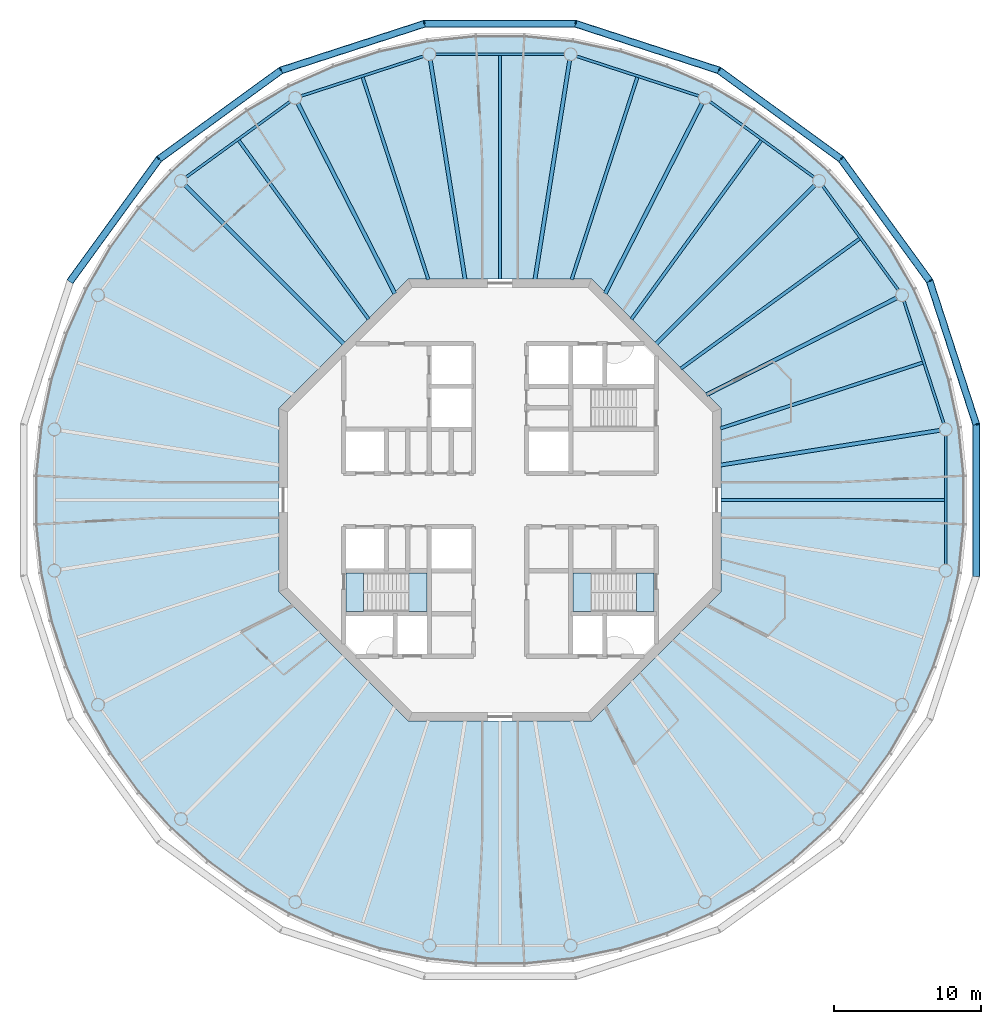
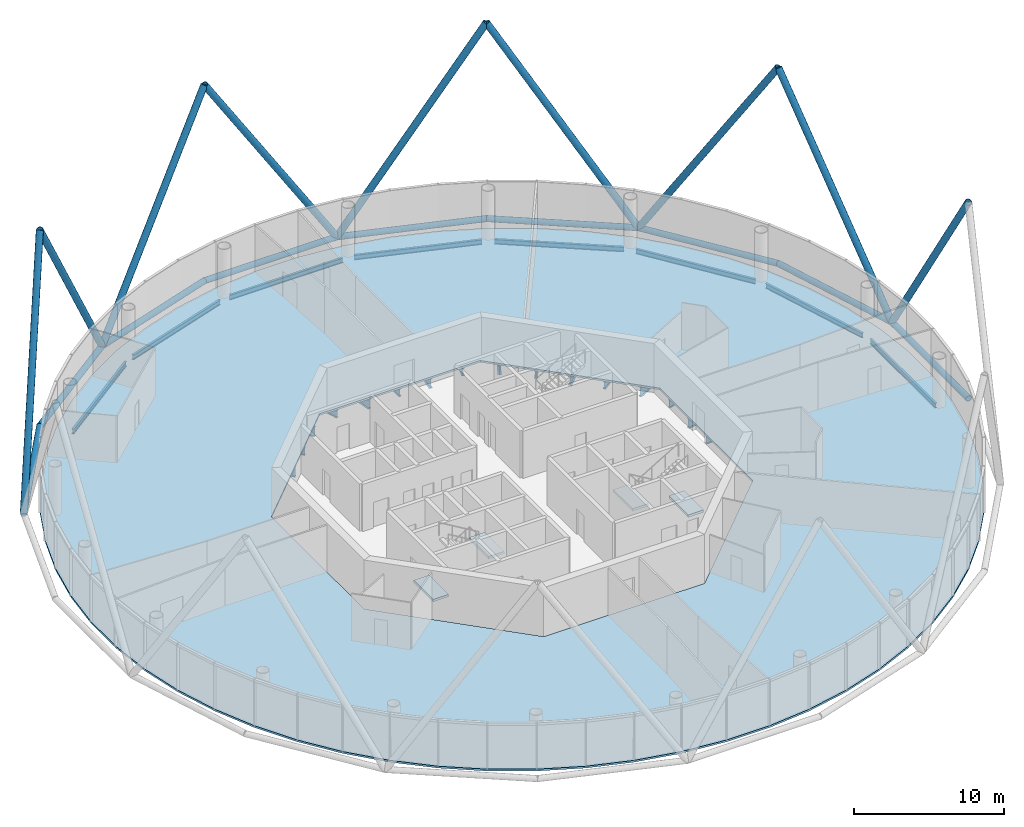
# One storey, part 2 of 13: 24 beams, 18 members, 5 slabs, 2 elements without a shape of their own.
"""IFC4 building model written with IfcOpenShell, lengths in metres."""

from ifc_helpers import new_model, si_unit, direction, frame, origin, origin_2d, place, context, subcontext, project, spatial, polyline, circle, hollow_circle, i_section, outline, extrude, material, layer, layer_set, material_profile, profile_set, type_object, element, aggregate, save


model = new_model("IFC4")

# Units and contexts
model_context = context("Model", 3, precision=1e-05, world=origin(), true_north=direction((0.0, 1.0)))
body_context = subcontext(model_context, "Body", "Model", "MODEL_VIEW")
ifc_project = project(units=[si_unit("LENGTHUNIT", "METRE"), si_unit("AREAUNIT", "SQUARE_METRE"), si_unit("VOLUMEUNIT", "CUBIC_METRE"), si_unit("PLANEANGLEUNIT", "RADIAN"), si_unit("MASSUNIT", "GRAM", prefix="KILO")], contexts=[model_context])

# Site, building, storey
site_placement = place(None, origin())
site = spatial("IfcSite", under=ifc_project, at=site_placement, CompositionType="ELEMENT")
building_placement = place(site_placement, origin())
building = spatial("IfcBuilding", under=site, at=building_placement, Name="Entoto Ring Tower", CompositionType="ELEMENT")
storey_placement = place(building_placement, frame((0.0, 0.0, 356.0)))
storey = spatial("IfcBuildingStorey", under=building, at=storey_placement, Name="L82", CompositionType="ELEMENT", Elevation=356.0)

# Members
ifc_material_1 = material(Name="Steel S355", Category="steel")
ifc_material_profile_1 = material_profile(ifc_material_1, hollow_circle(Radius=0.25390625, WallThickness=0.030029296875, at=origin_2d()), Name="CHS 508 x 30")
ifc_material_2 = material(Name="Concrete C60/75", Category="concrete")
ifc_material_profile_2 = material_profile(ifc_material_2, circle(Radius=0.22412109375, at=origin_2d()), Name="Concrete C60/75 infill")
ifc_profile_set_1 = profile_set([ifc_material_profile_1, ifc_material_profile_2], Name="Steel S355")
member_type_1 = type_object("IfcMemberType", Name="Diagrid diagonal 508 x 30 concrete-filled tube", PredefinedType="BRACE", material=ifc_profile_set_1)
member_1_placement = place(storey_placement, frame((122.29736328125, 85.115478515625, 0.0), z_axis=(0.0, -0.538715853857, 0.84248752442), x_axis=(1.0, 0.0, 0.0)))
element("IfcMember", 1, at=member_1_placement, inside=storey, type_object=member_type_1, Name="DG7 module 27 01", PredefinedType="BRACE", context=body_context, shape_type="SweptSolid", body=[
    extrude(hollow_circle(Radius=0.25390625, WallThickness=0.030029296875, at=origin_2d()), origin(), (0.0, 0.0, 1.0), 18.991455078125),
])
for number, where, z_axis, x_axis, name in (
    (2, (122.29736328125, 85.115478515625, 0.0), (-0.166465095802, 0.512340715739, 0.84249413225), (-0.95105896794, -0.309009448885, 0.0), "DG7 module 27 02"),
    (3, (113.122314453125, 103.122314453125, 0.0), (0.316653552924, -0.435822862586, 0.842489738731), (0.809008424404, 0.587797047665, 0.0), "DG7 module 27 03"),
    (4, (113.122314453125, 103.122314453125, 0.0), (-0.435822862586, 0.316653552924, 0.842489738731), (-0.587797047665, -0.809008424404, 0.0), "DG7 module 27 04"),
    (5, (95.115478515625, 112.29736328125, 0.0), (0.512340715739, -0.166465095802, 0.84249413225), (0.309009448885, 0.95105896794, 0.0), "DG7 module 27 05"),
):
    element("IfcMember", number, at=place(storey_placement, frame(where, z_axis=z_axis, x_axis=x_axis)), inside=storey, type_object=member_type_1, Name=name, PredefinedType="BRACE", context=body_context, shape_type="SweptSolid", body=[
        extrude(hollow_circle(Radius=0.25390625, WallThickness=0.030029296875, at=origin_2d()), origin(), (0.0, 0.0, 1.0), 18.9912109375),
    ])
member_2_placement = place(storey_placement, frame((95.115478515625, 112.29736328125, 0.0), z_axis=(-0.538715853857, 0.0, 0.84248752442), x_axis=(0.0, -1.0, 0.0)))
element("IfcMember", 6, at=member_2_placement, inside=storey, type_object=member_type_1, Name="DG7 module 27 06", PredefinedType="BRACE", context=body_context, shape_type="SweptSolid", body=[
    extrude(hollow_circle(Radius=0.25390625, WallThickness=0.030029296875, at=origin_2d()), origin(), (0.0, 0.0, 1.0), 18.991455078125),
])
for number, where, z_axis, x_axis, name in (
    (7, (75.154541015625, 109.135986328125, 0.0), (0.512340715739, 0.166465095802, 0.84249413225), (-0.309009448885, 0.95105896794, 0.0), "DG7 module 27 07"),
    (8, (75.154541015625, 109.135986328125, 0.0), (-0.435822862586, -0.316653552924, 0.842489738731), (0.587797047665, -0.809008424404, 0.0), "DG7 module 27 08"),
    (9, (60.864013671875, 94.845458984375, 0.0), (0.316653552924, 0.435822862586, 0.842489738731), (-0.809008424404, 0.587797047665, 0.0), "DG7 module 27 09"),
):
    element("IfcMember", number, at=place(storey_placement, frame(where, z_axis=z_axis, x_axis=x_axis)), inside=storey, type_object=member_type_1, Name=name, PredefinedType="BRACE", context=body_context, shape_type="SweptSolid", body=[
        extrude(hollow_circle(Radius=0.25390625, WallThickness=0.030029296875, at=origin_2d()), origin(), (0.0, 0.0, 1.0), 18.9912109375),
    ])
ifc_material_3 = material(Name="Steel S355", Category="steel")
ifc_material_profile_3 = material_profile(ifc_material_3, hollow_circle(Radius=0.228515625, WallThickness=0.02001953125, at=origin_2d()), Name="CHS 457 x 20")
ifc_material_4 = material(Name="Concrete C60/75", Category="concrete")
ifc_material_profile_4 = material_profile(ifc_material_4, circle(Radius=0.20849609375, at=origin_2d()), Name="Concrete C60/75 infill")
ifc_profile_set_2 = profile_set([ifc_material_profile_3, ifc_material_profile_4], Name="Steel S355")
member_type_2 = type_object("IfcMemberType", Name="Diagrid ring beam 457 x 20", PredefinedType="CHORD", material=ifc_profile_set_2)
member_3_placement = place(storey_placement, frame((122.314697265625, 85.06201171875, 0.0), z_axis=(-0.309002809244, 0.951061125206, 0.0), x_axis=(-0.951061125206, -0.309002809244, 0.0)))
element("IfcMember", 10, at=member_3_placement, inside=storey, type_object=member_type_2, Name="DR3 ring 26 01", PredefinedType="CHORD", context=body_context, shape_type="SweptSolid", body=[
    extrude(hollow_circle(Radius=0.228515625, WallThickness=0.02001953125, at=origin_2d()), origin(), (0.0, 0.0, 1.0), 10.343017578125),
])
for number, where, z_axis, x_axis, name in (
    (11, (119.1689453125, 94.800048828125, 0.0), (-0.587781465034, 0.809019745966, 0.0), (-0.809019745966, -0.587781465034, 0.0), "DR3 ring 26 02"),
    (12, (113.16796875, 103.08935546875, 0.0), (-0.809019745966, 0.587781465034, 0.0), (-0.587781465034, -0.809019745966, 0.0), "DR3 ring 26 03"),
):
    element("IfcMember", number, at=place(storey_placement, frame(where, z_axis=z_axis, x_axis=x_axis)), inside=storey, type_object=member_type_2, Name=name, PredefinedType="CHORD", context=body_context, shape_type="SweptSolid", body=[
        extrude(hollow_circle(Radius=0.228515625, WallThickness=0.02001953125, at=origin_2d()), origin(), (0.0, 0.0, 1.0), 10.34326171875),
    ])
member_4_placement = place(storey_placement, frame((104.89892578125, 109.11865234375, 0.0), z_axis=(-0.951061125206, 0.309002809244, 0.0), x_axis=(-0.309002809244, -0.951061125206, 0.0)))
element("IfcMember", 13, at=member_4_placement, inside=storey, type_object=member_type_2, Name="DR3 ring 26 04", PredefinedType="CHORD", context=body_context, shape_type="SweptSolid", body=[
    extrude(hollow_circle(Radius=0.228515625, WallThickness=0.02001953125, at=origin_2d()), origin(), (0.0, 0.0, 1.0), 10.343017578125),
])
member_5_placement = place(storey_placement, frame((95.171630859375, 112.29736328125, 0.0), z_axis=(-1.0, 0.0, 0.0), x_axis=(0.0, -1.0, 0.0)))
element("IfcMember", 14, at=member_5_placement, inside=storey, type_object=member_type_2, Name="DR3 ring 26 05", PredefinedType="CHORD", context=body_context, shape_type="SweptSolid", body=[
    extrude(hollow_circle(Radius=0.228515625, WallThickness=0.02001953125, at=origin_2d()), origin(), (0.0, 0.0, 1.0), 10.34326171875),
])
member_6_placement = place(storey_placement, frame((84.93798828125, 112.314697265625, 0.0), z_axis=(-0.951061125206, -0.309002809244, 0.0), x_axis=(0.309002809244, -0.951061125206, 0.0)))
element("IfcMember", 15, at=member_6_placement, inside=storey, type_object=member_type_2, Name="DR3 ring 26 06", PredefinedType="CHORD", context=body_context, shape_type="SweptSolid", body=[
    extrude(hollow_circle(Radius=0.228515625, WallThickness=0.02001953125, at=origin_2d()), origin(), (0.0, 0.0, 1.0), 10.343017578125),
])
for number, where, z_axis, x_axis, name in (
    (16, (75.199951171875, 109.1689453125, 0.0), (-0.809019745966, -0.587781465034, 0.0), (0.587781465034, -0.809019745966, 0.0), "DR3 ring 26 07"),
    (17, (66.91064453125, 103.16796875, 0.0), (-0.587781465034, -0.809019745966, 0.0), (0.809019745966, -0.587781465034, 0.0), "DR3 ring 26 08"),
    (18, (122.29736328125, 74.828369140625, 0.0), (0.0, 1.0, 0.0), (-1.0, 0.0, 0.0), "DR3 ring 26 20"),
):
    element("IfcMember", number, at=place(storey_placement, frame(where, z_axis=z_axis, x_axis=x_axis)), inside=storey, type_object=member_type_2, Name=name, PredefinedType="CHORD", context=body_context, shape_type="SweptSolid", body=[
        extrude(hollow_circle(Radius=0.228515625, WallThickness=0.02001953125, at=origin_2d()), origin(), (0.0, 0.0, 1.0), 10.34326171875),
    ])

# Beams
ifc_material_5 = material(Name="Steel S355", Category="steel")
ifc_material_profile_5 = material_profile(ifc_material_5, i_section(OverallWidth=0.179931640625, OverallDepth=0.39990234375, WebThickness=0.008544921875, FlangeThickness=0.013427734375, FilletRadius=0.02099609375, at=origin_2d()), Name="IPE 400")
ifc_profile_set_3 = profile_set([ifc_material_profile_5], Name="Steel S355")
beam_type_1 = type_object("IfcBeamType", Name="Edge beam IPE 400", PredefinedType="SPANDREL", material=ifc_profile_set_3)
beam_1_placement = place(storey_placement, frame((120.09326171875, 85.187255859375, -0.35009765625), z_axis=(-0.309030438368, 0.951052147972, 0.0), x_axis=(-0.951052147972, -0.309030438368, 0.0)))
element("IfcBeam", 19, at=beam_1_placement, inside=storey, type_object=beam_type_1, Name="Edge beam L82 01", PredefinedType="SPANDREL", context=body_context, shape_type="SweptSolid", body=[
    extrude(i_section(OverallWidth=0.179931640625, OverallDepth=0.39990234375, WebThickness=0.008544921875, FlangeThickness=0.013427734375, FilletRadius=0.02099609375, at=origin_2d()), origin(), (0.0, 0.0, 1.0), 8.732177734375),
])
for number, where, z_axis, x_axis, name in (
    (20, (117.017333984375, 94.232666015625, -0.35009765625), (-0.587794254874, 0.80901045354, 0.0), (-0.80901045354, -0.587794254874, 0.0), "Edge beam L82 02"),
    (21, (111.296875, 101.884765625, -0.35009765625), (-0.80901045354, 0.587794254874, 0.0), (-0.587794254874, -0.80901045354, 0.0), "Edge beam L82 03"),
):
    element("IfcBeam", number, at=place(storey_placement, frame(where, z_axis=z_axis, x_axis=x_axis)), inside=storey, type_object=beam_type_1, Name=name, PredefinedType="SPANDREL", context=body_context, shape_type="SweptSolid", body=[
        extrude(i_section(OverallWidth=0.179931640625, OverallDepth=0.39990234375, WebThickness=0.008544921875, FlangeThickness=0.013427734375, FilletRadius=0.02099609375, at=origin_2d()), origin(), (0.0, 0.0, 1.0), 8.73193359375),
    ])
beam_2_placement = place(storey_placement, frame((103.491943359375, 107.394775390625, -0.35009765625), z_axis=(-0.951052147972, 0.309030438368, 0.0), x_axis=(-0.309030438368, -0.951052147972, 0.0)))
element("IfcBeam", 22, at=beam_2_placement, inside=storey, type_object=beam_type_1, Name="Edge beam L82 04", PredefinedType="SPANDREL", context=body_context, shape_type="SweptSolid", body=[
    extrude(i_section(OverallWidth=0.179931640625, OverallDepth=0.39990234375, WebThickness=0.008544921875, FlangeThickness=0.013427734375, FilletRadius=0.02099609375, at=origin_2d()), origin(), (0.0, 0.0, 1.0), 8.732177734375),
])
beam_3_placement = place(storey_placement, frame((94.365966796875, 110.22314453125, -0.35009765625), z_axis=(-1.0, 0.0, 0.0), x_axis=(0.0, -1.0, 0.0)))
element("IfcBeam", 23, at=beam_3_placement, inside=storey, type_object=beam_type_1, Name="Edge beam L82 05", PredefinedType="SPANDREL", context=body_context, shape_type="SweptSolid", body=[
    extrude(i_section(OverallWidth=0.179931640625, OverallDepth=0.39990234375, WebThickness=0.008544921875, FlangeThickness=0.013427734375, FilletRadius=0.02099609375, at=origin_2d()), origin(), (0.0, 0.0, 1.0), 8.73193359375),
])
beam_4_placement = place(storey_placement, frame((84.812744140625, 110.09326171875, -0.35009765625), z_axis=(-0.951052147972, -0.309030438368, 0.0), x_axis=(0.309030438368, -0.951052147972, 0.0)))
element("IfcBeam", 24, at=beam_4_placement, inside=storey, type_object=beam_type_1, Name="Edge beam L82 06", PredefinedType="SPANDREL", context=body_context, shape_type="SweptSolid", body=[
    extrude(i_section(OverallWidth=0.179931640625, OverallDepth=0.39990234375, WebThickness=0.008544921875, FlangeThickness=0.013427734375, FilletRadius=0.02099609375, at=origin_2d()), origin(), (0.0, 0.0, 1.0), 8.732177734375),
])
for number, where, z_axis, x_axis, name in (
    (25, (75.767333984375, 107.017333984375, -0.35009765625), (-0.80901045354, -0.587794254874, 0.0), (0.587794254874, -0.80901045354, 0.0), "Edge beam L82 07"),
    (26, (120.22314453125, 75.634033203125, -0.35009765625), (0.0, 1.0, 0.0), (-1.0, 0.0, 0.0), "Edge beam L82 20"),
):
    element("IfcBeam", number, at=place(storey_placement, frame(where, z_axis=z_axis, x_axis=x_axis)), inside=storey, type_object=beam_type_1, Name=name, PredefinedType="SPANDREL", context=body_context, shape_type="SweptSolid", body=[
        extrude(i_section(OverallWidth=0.179931640625, OverallDepth=0.39990234375, WebThickness=0.008544921875, FlangeThickness=0.013427734375, FilletRadius=0.02099609375, at=origin_2d()), origin(), (0.0, 0.0, 1.0), 8.73193359375),
    ])
ifc_material_6 = material(Name="Steel S355", Category="steel")
ifc_material_profile_6 = material_profile(ifc_material_6, i_section(OverallWidth=0.262939453125, OverallDepth=0.7529296875, WebThickness=0.011474609375, FlangeThickness=0.01708984375, FilletRadius=0.01708984375, at=origin_2d()), Name="IPE 750 x 137")
ifc_profile_set_4 = profile_set([ifc_material_profile_6], Name="Steel S355")
beam_type_2 = type_object("IfcBeamType", Name="Primary floor beam IPE 750 x 137", PredefinedType="BEAM", material=ifc_profile_set_4)
beam_5_placement = place(storey_placement, frame((104.959716796875, 82.369384765625, -0.526611328125), z_axis=(0.987688638122, 0.156432586517, 0.0), x_axis=(-0.156432586517, 0.987688638122, 0.0)))
element("IfcBeam", 27, at=beam_5_placement, inside=storey, type_object=beam_type_2, Name="Primary L82 R01", PredefinedType="BEAM", context=body_context, shape_type="SweptSolid", body=[
    extrude(i_section(OverallWidth=0.262939453125, OverallDepth=0.7529296875, WebThickness=0.011474609375, FlangeThickness=0.01708984375, FilletRadius=0.01708984375, at=origin_2d()), origin(), (0.0, 0.0, 1.0), 15.04345703125),
])
beam_6_placement = place(storey_placement, frame((103.9970703125, 87.1318359375, -0.526611328125), z_axis=(0.89100578373, 0.453991952968, 0.0), x_axis=(-0.453991952968, 0.89100578373, 0.0)))
element("IfcBeam", 28, at=beam_6_placement, inside=storey, type_object=beam_type_2, Name="Primary L82 R02", PredefinedType="BEAM", context=body_context, shape_type="SweptSolid", body=[
    extrude(i_section(OverallWidth=0.262939453125, OverallDepth=0.7529296875, WebThickness=0.011474609375, FlangeThickness=0.01708984375, FilletRadius=0.01708984375, at=origin_2d()), origin(), (0.0, 0.0, 1.0), 14.48046875),
])
beam_7_placement = place(storey_placement, frame((100.592529296875, 90.592529296875, -0.526611328125), z_axis=(0.707106781187, 0.707106781187, 0.0), x_axis=(-0.707106781187, 0.707106781187, 0.0)))
element("IfcBeam", 29, at=beam_7_placement, inside=storey, type_object=beam_type_2, Name="Primary L82 R03", PredefinedType="BEAM", context=body_context, shape_type="SweptSolid", body=[
    extrude(i_section(OverallWidth=0.262939453125, OverallDepth=0.7529296875, WebThickness=0.011474609375, FlangeThickness=0.01708984375, FilletRadius=0.01708984375, at=origin_2d()), origin(), (0.0, 0.0, 1.0), 15.209716796875),
])
beam_8_placement = place(storey_placement, frame((97.1318359375, 93.9970703125, -0.526611328125), z_axis=(0.453991952968, 0.89100578373, 0.0), x_axis=(-0.89100578373, 0.453991952968, 0.0)))
element("IfcBeam", 30, at=beam_8_placement, inside=storey, type_object=beam_type_2, Name="Primary L82 R04", PredefinedType="BEAM", context=body_context, shape_type="SweptSolid", body=[
    extrude(i_section(OverallWidth=0.262939453125, OverallDepth=0.7529296875, WebThickness=0.011474609375, FlangeThickness=0.01708984375, FilletRadius=0.01708984375, at=origin_2d()), origin(), (0.0, 0.0, 1.0), 14.48046875),
])
for number, where, z_axis, x_axis, name in (
    (31, (92.369384765625, 94.959716796875, -0.526611328125), (0.156432586517, 0.987688638122, 0.0), (-0.987688638122, 0.156432586517, 0.0), "Primary L82 R05"),
    (32, (87.630615234375, 94.959716796875, -0.526611328125), (-0.156432586517, 0.987688638122, 0.0), (-0.987688638122, -0.156432586517, 0.0), "Primary L82 R06"),
):
    element("IfcBeam", number, at=place(storey_placement, frame(where, z_axis=z_axis, x_axis=x_axis)), inside=storey, type_object=beam_type_2, Name=name, PredefinedType="BEAM", context=body_context, shape_type="SweptSolid", body=[
        extrude(i_section(OverallWidth=0.262939453125, OverallDepth=0.7529296875, WebThickness=0.011474609375, FlangeThickness=0.01708984375, FilletRadius=0.01708984375, at=origin_2d()), origin(), (0.0, 0.0, 1.0), 15.04345703125),
    ])
beam_9_placement = place(storey_placement, frame((82.8681640625, 93.9970703125, -0.526611328125), z_axis=(-0.453991952968, 0.89100578373, 0.0), x_axis=(-0.89100578373, -0.453991952968, 0.0)))
element("IfcBeam", 33, at=beam_9_placement, inside=storey, type_object=beam_type_2, Name="Primary L82 R07", PredefinedType="BEAM", context=body_context, shape_type="SweptSolid", body=[
    extrude(i_section(OverallWidth=0.262939453125, OverallDepth=0.7529296875, WebThickness=0.011474609375, FlangeThickness=0.01708984375, FilletRadius=0.01708984375, at=origin_2d()), origin(), (0.0, 0.0, 1.0), 14.48046875),
])
beam_10_placement = place(storey_placement, frame((79.407470703125, 90.592529296875, -0.526611328125), z_axis=(-0.707106781187, 0.707106781187, 0.0), x_axis=(-0.707106781187, -0.707106781187, 0.0)))
element("IfcBeam", 34, at=beam_10_placement, inside=storey, type_object=beam_type_2, Name="Primary L82 R08", PredefinedType="BEAM", context=body_context, shape_type="SweptSolid", body=[
    extrude(i_section(OverallWidth=0.262939453125, OverallDepth=0.7529296875, WebThickness=0.011474609375, FlangeThickness=0.01708984375, FilletRadius=0.01708984375, at=origin_2d()), origin(), (0.0, 0.0, 1.0), 15.209716796875),
])
ifc_material_7 = material(Name="Steel S355", Category="steel")
ifc_material_profile_7 = material_profile(ifc_material_7, i_section(OverallWidth=0.219970703125, OverallDepth=0.60009765625, WebThickness=0.011962890625, FlangeThickness=0.01904296875, FilletRadius=0.02392578125, at=origin_2d()), Name="IPE 600")
ifc_profile_set_5 = profile_set([ifc_material_profile_7], Name="Steel S355")
beam_type_3 = type_object("IfcBeamType", Name="Secondary floor beam IPE 600", PredefinedType="JOIST", material=ifc_profile_set_5)
beam_11_placement = place(storey_placement, frame((104.947021484375, 84.856689453125, -0.449951171875), z_axis=(0.951057212949, 0.309014850288, 0.0), x_axis=(-0.309014850288, 0.951057212949, 0.0)))
element("IfcBeam", 35, at=beam_11_placement, inside=storey, type_object=beam_type_3, Name="Secondary beam L82 01", PredefinedType="JOIST", context=body_context, shape_type="SweptSolid", body=[
    extrude(i_section(OverallWidth=0.219970703125, OverallDepth=0.60009765625, WebThickness=0.011962890625, FlangeThickness=0.01904296875, FilletRadius=0.02392578125, at=origin_2d()), origin(), (0.0, 0.0, 1.0), 14.4169921875),
])
for number, where, z_axis, x_axis, name in (
    (36, (102.25634765625, 88.90478515625, -0.449951171875), (0.809019238239, 0.587782163866, 0.0), (-0.587782163866, 0.809019238239, 0.0), "Secondary beam L82 02"),
    (37, (98.90478515625, 92.25634765625, -0.449951171875), (0.587782163866, 0.809019238239, 0.0), (-0.809019238239, 0.587782163866, 0.0), "Secondary beam L82 03"),
):
    element("IfcBeam", number, at=place(storey_placement, frame(where, z_axis=z_axis, x_axis=x_axis)), inside=storey, type_object=beam_type_3, Name=name, PredefinedType="JOIST", context=body_context, shape_type="SweptSolid", body=[
        extrude(i_section(OverallWidth=0.219970703125, OverallDepth=0.60009765625, WebThickness=0.011962890625, FlangeThickness=0.01904296875, FilletRadius=0.02392578125, at=origin_2d()), origin(), (0.0, 0.0, 1.0), 14.983642578125),
    ])
beam_12_placement = place(storey_placement, frame((94.856689453125, 94.947021484375, -0.449951171875), z_axis=(0.309014850288, 0.951057212949, 0.0), x_axis=(-0.951057212949, 0.309014850288, 0.0)))
element("IfcBeam", 38, at=beam_12_placement, inside=storey, type_object=beam_type_3, Name="Secondary beam L82 04", PredefinedType="JOIST", context=body_context, shape_type="SweptSolid", body=[
    extrude(i_section(OverallWidth=0.219970703125, OverallDepth=0.60009765625, WebThickness=0.011962890625, FlangeThickness=0.01904296875, FilletRadius=0.02392578125, at=origin_2d()), origin(), (0.0, 0.0, 1.0), 14.4169921875),
])
beam_13_placement = place(storey_placement, frame((90.0, 94.97998046875, -0.449951171875), z_axis=(0.0, 1.0, 0.0), x_axis=(-1.0, 0.0, 0.0)))
element("IfcBeam", 39, at=beam_13_placement, inside=storey, type_object=beam_type_3, Name="Secondary beam L82 05", PredefinedType="JOIST", context=body_context, shape_type="SweptSolid", body=[
    extrude(i_section(OverallWidth=0.219970703125, OverallDepth=0.60009765625, WebThickness=0.011962890625, FlangeThickness=0.01904296875, FilletRadius=0.02392578125, at=origin_2d()), origin(), (0.0, 0.0, 1.0), 15.1533203125),
])
beam_14_placement = place(storey_placement, frame((85.143310546875, 94.947021484375, -0.449951171875), z_axis=(-0.309014850288, 0.951057212949, 0.0), x_axis=(-0.951057212949, -0.309014850288, 0.0)))
element("IfcBeam", 40, at=beam_14_placement, inside=storey, type_object=beam_type_3, Name="Secondary beam L82 06", PredefinedType="JOIST", context=body_context, shape_type="SweptSolid", body=[
    extrude(i_section(OverallWidth=0.219970703125, OverallDepth=0.60009765625, WebThickness=0.011962890625, FlangeThickness=0.01904296875, FilletRadius=0.02392578125, at=origin_2d()), origin(), (0.0, 0.0, 1.0), 14.4169921875),
])
beam_15_placement = place(storey_placement, frame((81.09521484375, 92.25634765625, -0.449951171875), z_axis=(-0.587782163866, 0.809019238239, 0.0), x_axis=(-0.809019238239, -0.587782163866, 0.0)))
element("IfcBeam", 41, at=beam_15_placement, inside=storey, type_object=beam_type_3, Name="Secondary beam L82 07", PredefinedType="JOIST", context=body_context, shape_type="SweptSolid", body=[
    extrude(i_section(OverallWidth=0.219970703125, OverallDepth=0.60009765625, WebThickness=0.011962890625, FlangeThickness=0.01904296875, FilletRadius=0.02392578125, at=origin_2d()), origin(), (0.0, 0.0, 1.0), 14.983642578125),
])
beam_16_placement = place(storey_placement, frame((104.97998046875, 80.0, -0.449951171875), z_axis=(1.0, 0.0, 0.0), x_axis=(0.0, 1.0, 0.0)))
element("IfcBeam", 42, at=beam_16_placement, inside=storey, type_object=beam_type_3, Name="Secondary beam L82 20", PredefinedType="JOIST", context=body_context, shape_type="SweptSolid", body=[
    extrude(i_section(OverallWidth=0.219970703125, OverallDepth=0.60009765625, WebThickness=0.011962890625, FlangeThickness=0.01904296875, FilletRadius=0.02392578125, at=origin_2d()), origin(), (0.0, 0.0, 1.0), 15.1533203125),
])

# Slab
ifc_material_8 = material(Name="Concrete C30/37", Category="concrete")
ifc_layer_1 = layer(ifc_material_8, 0.14990234375)
ifc_layer_set_1 = layer_set([ifc_layer_1], Name="Concrete C30/37")
slab_type_1 = type_object("IfcSlabType", Name="Composite floor slab 150 mm", PredefinedType="FLOOR", material=ifc_layer_set_1)
slab_1_placement = place(storey_placement, frame((0.0, 0.0, -0.14990234375)))
element("IfcSlab", 43, at=slab_1_placement, inside=storey, type_object=slab_type_1, Name="Floor slab L82", PredefinedType="FLOOR", context=body_context, shape_type="SweptSolid", body=[
    extrude(outline(polyline([(121.2109375, 84.943359375), (120.523193359375, 88.1787109375), (119.501220703125, 91.324462890625), (118.15576171875, 94.34619140625), (116.501953125, 97.210693359375), (114.557861328125, 99.886474609375), (112.344482421875, 102.344482421875), (109.886474609375, 104.557861328125), (107.210693359375, 106.501953125), (104.34619140625, 108.15576171875), (101.324462890625, 109.501220703125), (98.1787109375, 110.523193359375), (94.943359375, 111.2109375), (91.65380859375, 111.556640625), (88.34619140625, 111.556640625), (85.056640625, 111.2109375), (81.8212890625, 110.523193359375), (78.675537109375, 109.501220703125), (75.65380859375, 108.15576171875), (72.789306640625, 106.501953125), (70.113525390625, 104.557861328125), (67.655517578125, 102.344482421875), (65.442138671875, 99.886474609375), (63.498046875, 97.210693359375), (61.84423828125, 94.34619140625), (60.498779296875, 91.324462890625), (59.476806640625, 88.1787109375), (58.7890625, 84.943359375), (58.443359375, 81.65380859375), (58.443359375, 78.34619140625), (58.7890625, 75.056640625), (59.476806640625, 71.8212890625), (60.498779296875, 68.675537109375), (61.84423828125, 65.65380859375), (63.498046875, 62.789306640625), (65.442138671875, 60.113525390625), (67.655517578125, 57.655517578125), (70.113525390625, 55.442138671875), (72.789306640625, 53.498046875), (75.65380859375, 51.84423828125), (78.675537109375, 50.498779296875), (81.8212890625, 49.476806640625), (85.056640625, 48.7890625), (88.34619140625, 48.443359375), (91.65380859375, 48.443359375), (94.943359375, 48.7890625), (98.1787109375, 49.476806640625), (101.324462890625, 50.498779296875), (104.34619140625, 51.84423828125), (107.210693359375, 53.498046875), (109.886474609375, 55.442138671875), (112.344482421875, 57.655517578125), (114.557861328125, 60.113525390625), (116.501953125, 62.789306640625), (118.15576171875, 65.65380859375), (119.501220703125, 68.675537109375), (120.523193359375, 71.8212890625), (121.2109375, 75.056640625), (121.556640625, 78.34619140625), (121.556640625, 81.65380859375), (121.2109375, 84.943359375)]), holes=[polyline([(105.0, 73.786865234375), (105.0, 86.213134765625), (96.213134765625, 95.0), (83.786865234375, 95.0), (75.0, 86.213134765625), (75.0, 73.786865234375), (83.786865234375, 65.0), (96.213134765625, 65.0), (105.0, 73.786865234375)])]), origin(), (0.0, 0.0, 1.0), 0.14990234375),
])

# Stair, slabs
ifc_material_9 = material(Name="Concrete C40/50", Category="concrete")
stair_type = type_object("IfcStairType", Name="Exit stair 1200 mm dog-leg reinforced concrete", PredefinedType="HALF_TURN_STAIR", material=ifc_material_9)
stair_1_placement = place(storey_placement, origin())
stair_1 = element("IfcStair", 44, at=stair_1_placement, inside=storey, type_object=stair_type, Name="Exit stair 2", PredefinedType="HALF_TURN_STAIR")
ifc_material_10 = material(Name="Concrete C40/50", Category="concrete")
ifc_layer_2 = layer(ifc_material_10, 0.199951171875)
ifc_layer_set_2 = layer_set([ifc_layer_2], Name="Concrete C40/50")
slab_type_2 = type_object("IfcSlabType", Name="Stair landing 200 mm reinforced concrete", PredefinedType="LANDING", material=ifc_layer_set_2)
slab_2_placement = place(storey_placement, frame((0.0, 0.0, -0.199951171875)))
slab_2 = element("IfcSlab", 45, at=slab_2_placement, type_object=slab_type_2, Name="ST2 landing 1", PredefinedType="LANDING", context=body_context, shape_type="SweptSolid", body=[
    extrude(outline(polyline([(80.75, 72.449951171875), (80.75, 75.050048828125), (79.550048828125, 75.050048828125), (79.550048828125, 72.449951171875), (80.75, 72.449951171875)])), origin(), (0.0, 0.0, 1.0), 0.199951171875),
])
slab_3_placement = place(storey_placement, frame((0.0, 0.0, 1.800048828125)))
slab_3 = element("IfcSlab", 46, at=slab_3_placement, type_object=slab_type_2, Name="ST2 landing 2", PredefinedType="LANDING", context=body_context, shape_type="SweptSolid", body=[
    extrude(outline(polyline([(83.830078125, 72.449951171875), (85.050048828125, 72.449951171875), (85.050048828125, 75.050048828125), (83.830078125, 75.050048828125), (83.830078125, 72.449951171875)])), origin(), (0.0, 0.0, 1.0), 0.199951171875),
])
aggregate(stair_1, [slab_2, slab_3])

stair_2_placement = place(storey_placement, origin())
stair_2 = element("IfcStair", 47, at=stair_2_placement, inside=storey, type_object=stair_type, Name="Exit stair 3", PredefinedType="HALF_TURN_STAIR")
slab_4_placement = place(storey_placement, frame((0.0, 0.0, -0.199951171875)))
slab_4 = element("IfcSlab", 48, at=slab_4_placement, type_object=slab_type_2, Name="ST3 landing 1", PredefinedType="LANDING", context=body_context, shape_type="SweptSolid", body=[
    extrude(outline(polyline([(100.449951171875, 72.449951171875), (100.449951171875, 75.050048828125), (99.25, 75.050048828125), (99.25, 72.449951171875), (100.449951171875, 72.449951171875)])), origin(), (0.0, 0.0, 1.0), 0.199951171875),
])
slab_5_placement = place(storey_placement, frame((0.0, 0.0, 1.800048828125)))
slab_5 = element("IfcSlab", 49, at=slab_5_placement, type_object=slab_type_2, Name="ST3 landing 2", PredefinedType="LANDING", context=body_context, shape_type="SweptSolid", body=[
    extrude(outline(polyline([(94.949951171875, 72.449951171875), (96.169921875, 72.449951171875), (96.169921875, 75.050048828125), (94.949951171875, 75.050048828125), (94.949951171875, 72.449951171875)])), origin(), (0.0, 0.0, 1.0), 0.199951171875),
])
aggregate(stair_2, [slab_4, slab_5])

save(model, "model.ifc")
